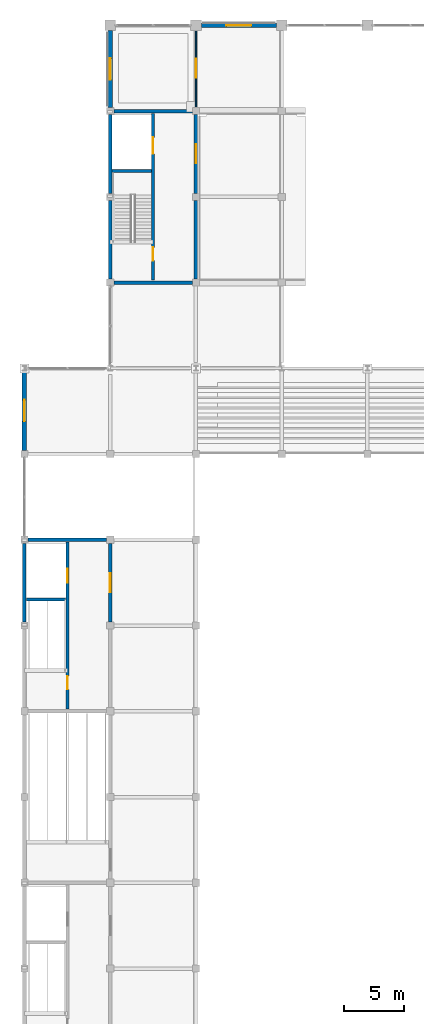
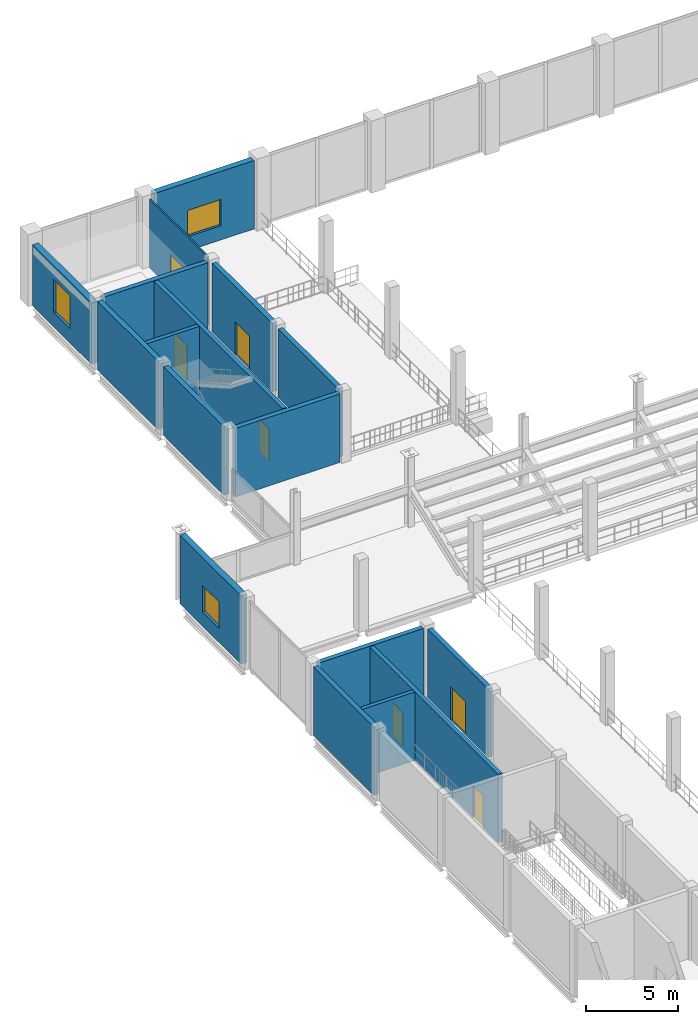
# One storey, part 94 of 120: 17 walls, 7 doors, 3 windows, 10 openings.
"""IFC4 building model written with IfcOpenShell, lengths in metres."""

from ifc_helpers import new_model, si_unit, direction, frame, frame_2d, origin, place, context, subcontext, project, spatial, rectangle, extrude, material, layer, layer_set, type_object, element, fill, save


model = new_model("IFC4")

# Units and contexts
model_context = context("Model", 3, precision=1e-05, world=origin(), true_north=direction((0.0, 1.0)))
body_context = subcontext(model_context, "Body", "Model", "MODEL_VIEW")
ifc_project = project(units=[si_unit("LENGTHUNIT", "METRE"), si_unit("AREAUNIT", "SQUARE_METRE"), si_unit("VOLUMEUNIT", "CUBIC_METRE"), si_unit("PLANEANGLEUNIT", "RADIAN"), si_unit("MASSUNIT", "GRAM", prefix="KILO")], contexts=[model_context])

# Site, building, storey
site_placement = place(None, origin())
site = spatial("IfcSite", under=ifc_project, at=site_placement, CompositionType="ELEMENT")
building_placement = place(site_placement, origin())
building = spatial("IfcBuilding", under=site, at=building_placement, Name="Vesperath Aquatics Centre", CompositionType="ELEMENT")
storey_placement = place(building_placement, frame((0.0, 0.0, 10.199951171875)))
storey = spatial("IfcBuildingStorey", under=building, at=storey_placement, Name="L02", CompositionType="ELEMENT", Elevation=10.199951171875)

# Wall, opening, window
ifc_material_1 = material(Name="Red-terracotta brick insulated cavity wall", Category="masonry")
ifc_layer_1 = layer(ifc_material_1, 0.3798828125)
ifc_layer_set_1 = layer_set([ifc_layer_1], Name="Red-terracotta brick insulated cavity wall")
wall_type_1 = type_object("IfcWallType", Name="WL-EW02", PredefinedType="SOLIDWALL", material=ifc_layer_set_1)
wall_1_placement = place(storey_placement, frame((0.0, 79.5, 0.0), z_axis=(0.0, 0.0, 1.0), x_axis=(0.0, 1.0, 0.0)))
wall_1 = element("IfcWall", 1, at=wall_1_placement, inside=storey, type_object=wall_type_1, Name="Exterior Wall EW02 L02_W_00_11", PredefinedType="SOLIDWALL", context=body_context, shape_type="SweptSolid", body=[
    extrude(rectangle(XDim=6.68603515625, YDim=0.3798828125, at=frame_2d((3.343017578125, 0.0))), origin(), (0.0, 0.0, 1.0), 4.56005859375),
])
opening_1_placement = place(wall_1_placement, frame((2.443115234375, 0.0, 0.949951171875)))
opening_1 = element("IfcOpeningElement", 2, at=opening_1_placement, cuts=wall_1, Name="Opening W12", PredefinedType="OPENING", context=body_context, shape_type="SweptSolid", body=[
    extrude(rectangle(XDim=1.800048828125, YDim=1.75, at=frame_2d((0.89990234375, 0.875))), frame((0.0, 0.204833984375, 0.0), z_axis=(0.0, -1.0, 0.0), x_axis=(1.0, 0.0, 0.0)), (0.0, 0.0, 1.0), 0.40966796875),
])
ifc_material_2 = material(Name="Thermally broken aluminium triple-glazed window", Category="aluminium")
window_type_1 = type_object("IfcWindowType", Name="WN-W12", PartitioningType="SINGLE_PANEL", PredefinedType="WINDOW", material=ifc_material_2)
window_1_placement = place(opening_1_placement, origin())
window_1 = element("IfcWindow", 3, at=window_1_placement, inside=storey, type_object=window_type_1, Name="Deep-Reveal Casement Window W12 L02_W_00_11", OverallHeight=1.75, OverallWidth=1.800048828125, PartitioningType="SINGLE_PANEL", PredefinedType="WINDOW", context=body_context, shape_type="SweptSolid", body=[
    extrude(rectangle(XDim=1.800048828125, YDim=1.75, at=frame_2d((0.89990234375, 0.875))), frame((0.0, 0.030029296875, 0.0), z_axis=(0.0, -1.0, 0.0), x_axis=(1.0, 0.0, 0.0)), (0.0, 0.0, 1.0), 0.06005859375),
])
fill(opening_1, window_1)

wall_2_placement = place(storey_placement, frame((7.199951171875, 108.300048828125, 0.0), z_axis=(0.0, 0.0, 1.0), x_axis=(0.0, 1.0, 0.0)))
wall_2 = element("IfcWall", 4, at=wall_2_placement, inside=storey, type_object=wall_type_1, Name="Exterior Wall EW02 L02_W_01_15", PredefinedType="SOLIDWALL", context=body_context, shape_type="SweptSolid", body=[
    extrude(rectangle(XDim=6.449951171875, YDim=0.3798828125, at=frame_2d((3.22509765625, 0.0))), origin(), (0.0, 0.0, 1.0), 4.072021484375),
])
opening_2_placement = place(wall_2_placement, frame((2.324951171875, 0.0, 0.949951171875)))
opening_2 = element("IfcOpeningElement", 5, at=opening_2_placement, cuts=wall_2, Name="Opening W03", PredefinedType="OPENING", context=body_context, shape_type="SweptSolid", body=[
    extrude(rectangle(XDim=1.800048828125, YDim=2.199951171875, at=frame_2d((0.89990234375, 1.10009765625))), frame((0.0, 0.204833984375, 0.0), z_axis=(0.0, -1.0, 0.0), x_axis=(1.0, 0.0, 0.0)), (0.0, 0.0, 1.0), 0.40966796875),
])
window_type_2 = type_object("IfcWindowType", Name="WN-W03", PartitioningType="SINGLE_PANEL", PredefinedType="WINDOW", material=ifc_material_2)
window_2_placement = place(opening_2_placement, origin())
window_2 = element("IfcWindow", 6, at=window_2_placement, inside=storey, type_object=window_type_2, Name="Deep-Reveal Casement Window W03 L02_W_01_15", OverallHeight=2.199951171875, OverallWidth=1.800048828125, PartitioningType="SINGLE_PANEL", PredefinedType="WINDOW", context=body_context, shape_type="SweptSolid", body=[
    extrude(rectangle(XDim=1.800048828125, YDim=2.199951171875, at=frame_2d((0.89990234375, 1.10009765625))), frame((0.0, 0.030029296875, 0.0), z_axis=(0.0, -1.0, 0.0), x_axis=(1.0, 0.0, 0.0)), (0.0, 0.0, 1.0), 0.06005859375),
])
fill(opening_2, window_2)

ifc_material_3 = material(Name="Glazed majolica and brick insulated cavity wall", Category="masonry")
ifc_layer_2 = layer(ifc_material_3, 0.360107421875)
ifc_layer_set_2 = layer_set([ifc_layer_2], Name="Glazed majolica and brick insulated cavity wall")
wall_type_2 = type_object("IfcWallType", Name="WL-EW03", PredefinedType="SOLIDWALL", material=ifc_layer_set_2)
wall_3_placement = place(storey_placement, frame((14.85009765625, 115.199951171875, 0.0), z_axis=(0.0, 0.0, 1.0), x_axis=(1.0, 0.0, 0.0)))
wall_3 = element("IfcWall", 7, at=wall_3_placement, inside=storey, type_object=wall_type_2, Name="Exterior Wall EW03 L02_N_02_16", PredefinedType="SOLIDWALL", context=body_context, shape_type="SweptSolid", body=[
    extrude(rectangle(XDim=6.2998046875, YDim=0.360107421875, at=frame_2d((3.14990234375, 0.0))), origin(), (0.0, 0.0, 1.0), 4.56005859375),
])
opening_3_placement = place(wall_3_placement, frame((2.10009765625, 0.0, 0.949951171875)))
opening_3 = element("IfcOpeningElement", 8, at=opening_3_placement, cuts=wall_3, Name="Opening W11", PredefinedType="OPENING", context=body_context, shape_type="SweptSolid", body=[
    extrude(rectangle(XDim=2.10009765625, YDim=1.75, at=frame_2d((1.050048828125, 0.875))), frame((0.0, 0.19482421875, 0.0), z_axis=(0.0, -1.0, 0.0), x_axis=(1.0, 0.0, 0.0)), (0.0, 0.0, 1.0), 0.389892578125),
])
window_type_3 = type_object("IfcWindowType", Name="WN-W11", PartitioningType="SINGLE_PANEL", PredefinedType="WINDOW", material=ifc_material_2)
window_3_placement = place(opening_3_placement, origin())
window_3 = element("IfcWindow", 9, at=window_3_placement, inside=storey, type_object=window_type_3, Name="Deep-Reveal Casement Window W11 L02_N_02_16", OverallHeight=1.75, OverallWidth=2.10009765625, PartitioningType="SINGLE_PANEL", PredefinedType="WINDOW", context=body_context, shape_type="SweptSolid", body=[
    extrude(rectangle(XDim=2.10009765625, YDim=1.75, at=frame_2d((1.050048828125, 0.875))), frame((0.0, 0.030029296875, 0.0), z_axis=(0.0, -1.0, 0.0), x_axis=(1.0, 0.0, 0.0)), (0.0, 0.0, 1.0), 0.06005859375),
])
fill(opening_3, window_3)

# Wall, opening, door
ifc_material_4 = material(Name="Poolside glazed screen partition", Category="gypsum")
ifc_layer_3 = layer(ifc_material_4, 0.094970703125)
ifc_layer_set_3 = layer_set([ifc_layer_3], Name="Poolside glazed screen partition")
wall_type_3 = type_object("IfcWallType", Name="WL-IW13", PredefinedType="PARTITIONING", material=ifc_layer_set_3)
wall_4_placement = place(storey_placement, frame((14.39990234375, 108.35009765625, 0.0), z_axis=(0.0, 0.0, 1.0), x_axis=(0.0, 1.0, 0.0)))
wall_4 = element("IfcWall", 10, at=wall_4_placement, inside=storey, type_object=wall_type_3, Name="Interior Partition IW13 L02_DIVE_VID-E1", PredefinedType="PARTITIONING", context=body_context, shape_type="SweptSolid", body=[
    extrude(rectangle(XDim=6.349853515625, YDim=0.094970703125, at=frame_2d((3.1748046875, 0.0))), origin(), (0.0, 0.0, 1.0), 4.56005859375),
])
opening_4_placement = place(wall_4_placement, frame((2.4599609375, 0.0, 0.0)))
opening_4 = element("IfcOpeningElement", 11, at=opening_4_placement, cuts=wall_4, Name="Opening D25", PredefinedType="OPENING", context=body_context, shape_type="SweptSolid", body=[
    extrude(rectangle(XDim=1.580078125, YDim=2.25, at=frame_2d((0.7900390625, 1.125))), frame((0.0, 0.0625, 0.0), z_axis=(0.0, -1.0, 0.0), x_axis=(1.0, 0.0, 0.0)), (0.0, 0.0, 1.0), 0.124755859375),
])
ifc_material_5 = material(Name="Fitness studio acoustic double door", Category="steel")
door_type_1 = type_object("IfcDoorType", Name="DR-RM17", OperationType="DOUBLE_SWING_LEFT", PredefinedType="DOOR", material=ifc_material_5)
door_1_placement = place(opening_4_placement, origin())
door_1 = element("IfcDoor", 12, at=door_1_placement, inside=storey, type_object=door_type_1, Name="Diving Biomechanics Video Studio Door D25", OperationType="DOUBLE_SWING_LEFT", OverallHeight=2.25, OverallWidth=1.580078125, PredefinedType="DOOR", context=body_context, shape_type="SweptSolid", body=[
    extrude(rectangle(XDim=1.580078125, YDim=2.25, at=frame_2d((0.7900390625, 1.125))), frame((0.0, 0.02490234375, 0.0), z_axis=(0.0, -1.0, 0.0), x_axis=(1.0, 0.0, 0.0)), (0.0, 0.0, 1.0), 0.050048828125),
])
fill(opening_4, door_1)

# Walls
ifc_material_6 = material(Name="Concrete C40", Category="concrete")
ifc_layer_4 = layer(ifc_material_6, 0.300048828125)
ifc_layer_set_4 = layer_set([ifc_layer_4], Name="Concrete C40")
wall_type_4 = type_object("IfcWallType", Name="WL-SW01", PredefinedType="SHEAR", material=ifc_layer_set_4)
for number, where, z_axis, x_axis, name in (
    (13, (7.5, 93.60009765625, 0.0), (0.0, 0.0, 1.0), (1.0, 0.0, 0.0), "Core C3 South Shear Wall SW01 L02"),
    (14, (7.5, 108.0, 0.0), (0.0, 0.0, 1.0), (1.0, 0.0, 0.0), "Core C3 North Shear Wall SW01 L02"),
    (15, (14.39990234375, 93.89990234375, 0.0), (0.0, 0.0, 1.0), (0.0, 1.0, 0.0), "Core C3 East-1 Shear Wall SW01 L02"),
):
    element("IfcWall", number, at=place(storey_placement, frame(where, z_axis=z_axis, x_axis=x_axis)), inside=storey, type_object=wall_type_4, Name=name, PredefinedType="SHEAR", context=body_context, shape_type="SweptSolid", body=[
        extrude(rectangle(XDim=6.60009765625, YDim=0.300048828125, at=frame_2d((3.300048828125, 0.0))), origin(), (0.0, 0.0, 1.0), 4.56005859375),
    ])

# Wall, opening, door
wall_5_placement = place(storey_placement, frame((14.39990234375, 101.10009765625, 0.0), z_axis=(0.0, 0.0, 1.0), x_axis=(0.0, 1.0, 0.0)))
wall_5 = element("IfcWall", 16, at=wall_5_placement, inside=storey, type_object=wall_type_4, Name="Core C3 East-2 Shear Wall SW01 L02", PredefinedType="SHEAR", context=body_context, shape_type="SweptSolid", body=[
    extrude(rectangle(XDim=6.599853515625, YDim=0.300048828125, at=frame_2d((3.2998046875, 0.0))), origin(), (0.0, 0.0, 1.0), 4.56005859375),
])
opening_5_placement = place(wall_5_placement, frame((2.5, 0.0, 0.0)))
opening_5 = element("IfcOpeningElement", 17, at=opening_5_placement, cuts=wall_5, Name="Opening D02", PredefinedType="OPENING", context=body_context, shape_type="SweptSolid", body=[
    extrude(rectangle(XDim=1.60009765625, YDim=2.199951171875, at=frame_2d((0.800048828125, 1.10009765625))), frame((0.0, 0.1650390625, 0.0), z_axis=(0.0, -1.0, 0.0), x_axis=(1.0, 0.0, 0.0)), (0.0, 0.0, 1.0), 0.329833984375),
])
ifc_material_7 = material(Name="Glazed fire-rated lobby double door", Category="steel")
door_type_2 = type_object("IfcDoorType", Name="DR-FD02", OperationType="DOUBLE_SWING_LEFT", PredefinedType="DOOR", material=ifc_material_7)
door_2_placement = place(opening_5_placement, frame((1.60009765625, 0.0, 0.0), z_axis=(0.0, 0.0, 1.0), x_axis=(-1.0, 0.0, 0.0)))
door_2 = element("IfcDoor", 18, at=door_2_placement, inside=storey, type_object=door_type_2, Name="Core C3 Lobby Fire Door D02 L02", OperationType="DOUBLE_SWING_LEFT", OverallHeight=2.199951171875, OverallWidth=1.60009765625, PredefinedType="DOOR", context=body_context, shape_type="SweptSolid", body=[
    extrude(rectangle(XDim=1.60009765625, YDim=2.199951171875, at=frame_2d((0.800048828125, 1.10009765625))), frame((0.0, 0.02490234375, 0.0), z_axis=(0.0, -1.0, 0.0), x_axis=(1.0, 0.0, 0.0)), (0.0, 0.0, 1.0), 0.050048828125),
])
fill(opening_5, door_2)

ifc_layer_5 = layer(ifc_material_6, 0.280029296875)
ifc_layer_set_5 = layer_set([ifc_layer_5], Name="Concrete C40")
wall_type_5 = type_object("IfcWallType", Name="WL-SW02", PredefinedType="SHEAR", material=ifc_layer_set_5)
wall_6_placement = place(storey_placement, frame((7.199951171875, 65.10009765625, 0.0), z_axis=(0.0, 0.0, 1.0), x_axis=(0.0, 1.0, 0.0)))
wall_6 = element("IfcWall", 19, at=wall_6_placement, inside=storey, type_object=wall_type_5, Name="Core C2 East-2 Shear Wall SW02 L02", PredefinedType="SHEAR", context=body_context, shape_type="SweptSolid", body=[
    extrude(rectangle(XDim=6.599853515625, YDim=0.280029296875, at=frame_2d((3.2998046875, 0.0))), origin(), (0.0, 0.0, 1.0), 4.56005859375),
])
opening_6_placement = place(wall_6_placement, frame((2.5, 0.0, 0.0)))
opening_6 = element("IfcOpeningElement", 20, at=opening_6_placement, cuts=wall_6, Name="Opening D02", PredefinedType="OPENING", context=body_context, shape_type="SweptSolid", body=[
    extrude(rectangle(XDim=1.60009765625, YDim=2.199951171875, at=frame_2d((0.800048828125, 1.10009765625))), frame((0.0, 0.15478515625, 0.0), z_axis=(0.0, -1.0, 0.0), x_axis=(1.0, 0.0, 0.0)), (0.0, 0.0, 1.0), 0.309814453125),
])
door_3_placement = place(opening_6_placement, frame((1.60009765625, 0.0, 0.0), z_axis=(0.0, 0.0, 1.0), x_axis=(-1.0, 0.0, 0.0)))
door_3 = element("IfcDoor", 21, at=door_3_placement, inside=storey, type_object=door_type_2, Name="Core C2 Lobby Fire Door D02 L02", OperationType="DOUBLE_SWING_LEFT", OverallHeight=2.199951171875, OverallWidth=1.60009765625, PredefinedType="DOOR", context=body_context, shape_type="SweptSolid", body=[
    extrude(rectangle(XDim=1.60009765625, YDim=2.199951171875, at=frame_2d((0.800048828125, 1.10009765625))), frame((0.0, 0.02490234375, 0.0), z_axis=(0.0, -1.0, 0.0), x_axis=(1.0, 0.0, 0.0)), (0.0, 0.0, 1.0), 0.050048828125),
])
fill(opening_6, door_3)

# Wall, openings, doors
ifc_layer_6 = layer(ifc_material_6, 0.260009765625)
ifc_layer_set_6 = layer_set([ifc_layer_6], Name="Concrete C40")
wall_type_6 = type_object("IfcWallType", Name="WL-SW03", PredefinedType="SHEAR", material=ifc_layer_set_6)
wall_7_placement = place(storey_placement, frame((3.60009765625, 57.800048828125, 0.0), z_axis=(0.0, 0.0, 1.0), x_axis=(0.0, 1.0, 0.0)))
wall_7 = element("IfcWall", 22, at=wall_7_placement, inside=storey, type_object=wall_type_6, Name="Core C2 Spine Shear Wall SW03 L02", PredefinedType="SHEAR", context=body_context, shape_type="SweptSolid", body=[
    extrude(rectangle(XDim=14.0, YDim=0.260009765625, at=frame_2d((7.0, 0.0))), origin(), (0.0, 0.0, 1.0), 4.56005859375),
])
opening_7_placement = place(wall_7_placement, frame((1.64990234375, 0.0, 0.0)))
opening_7 = element("IfcOpeningElement", 23, at=opening_7_placement, cuts=wall_7, Name="Opening D01", PredefinedType="OPENING", context=body_context, shape_type="SweptSolid", body=[
    extrude(rectangle(XDim=1.10009765625, YDim=2.14990234375, at=frame_2d((0.550048828125, 1.074951171875))), frame((0.0, 0.14501953125, 0.0), z_axis=(0.0, -1.0, 0.0), x_axis=(1.0, 0.0, 0.0)), (0.0, 0.0, 1.0), 0.289794921875),
])
opening_8_placement = place(wall_7_placement, frame((10.60009765625, 0.0, 0.0)))
opening_8 = element("IfcOpeningElement", 24, at=opening_8_placement, cuts=wall_7, Name="Opening LD02", PredefinedType="OPENING", context=body_context, shape_type="SweptSolid", body=[
    extrude(rectangle(XDim=1.14990234375, YDim=2.199951171875, at=frame_2d((0.574951171875, 1.10009765625))), frame((0.0, 0.14501953125, 0.0), z_axis=(0.0, -1.0, 0.0), x_axis=(1.0, 0.0, 0.0)), (0.0, 0.0, 1.0), 0.289794921875),
])
ifc_material_8 = material(Name="Steel-faced acoustic fire door", Category="steel")
door_type_3 = type_object("IfcDoorType", Name="DR-FD01", OperationType="NOTDEFINED", PredefinedType="DOOR", material=ifc_material_8)
door_4_placement = place(opening_7_placement, origin())
door_4 = element("IfcDoor", 25, at=door_4_placement, inside=storey, type_object=door_type_3, Name="Stair ST2 Fire Door D01 L02", OperationType="SINGLE_SWING_RIGHT", OverallHeight=2.14990234375, OverallWidth=1.10009765625, PredefinedType="DOOR", context=body_context, shape_type="SweptSolid", body=[
    extrude(rectangle(XDim=1.10009765625, YDim=2.14990234375, at=frame_2d((0.550048828125, 1.074951171875))), frame((0.0, 0.02490234375, 0.0), z_axis=(0.0, -1.0, 0.0), x_axis=(1.0, 0.0, 0.0)), (0.0, 0.0, 1.0), 0.050048828125),
])
fill(opening_7, door_4)
ifc_material_9 = material(Name="Brushed stainless steel lift landing door", Category="steel")
door_type_4 = type_object("IfcDoorType", Name="DR-LD02", OperationType="SLIDING_TO_RIGHT", PredefinedType="DOOR", material=ifc_material_9)
door_5_placement = place(opening_8_placement, frame((1.14990234375, 0.0, 0.0), z_axis=(0.0, 0.0, 1.0), x_axis=(-1.0, 0.0, 0.0)))
door_5 = element("IfcDoor", 26, at=door_5_placement, inside=storey, type_object=door_type_4, Name="Lift LFT-P2 Sliding Landing Door LD02 L02", OperationType="SLIDING_TO_RIGHT", OverallHeight=2.199951171875, OverallWidth=1.14990234375, PredefinedType="DOOR", context=body_context, shape_type="SweptSolid", body=[
    extrude(rectangle(XDim=1.14990234375, YDim=2.199951171875, at=frame_2d((0.574951171875, 1.10009765625))), frame((0.0, 0.02490234375, 0.0), z_axis=(0.0, -1.0, 0.0), x_axis=(1.0, 0.0, 0.0)), (0.0, 0.0, 1.0), 0.050048828125),
])
fill(opening_8, door_5)

wall_8_placement = place(storey_placement, frame((10.800048828125, 93.800048828125, 0.0), z_axis=(0.0, 0.0, 1.0), x_axis=(0.0, 1.0, 0.0)))
wall_8 = element("IfcWall", 27, at=wall_8_placement, inside=storey, type_object=wall_type_6, Name="Core C3 Spine Shear Wall SW03 L02", PredefinedType="SHEAR", context=body_context, shape_type="SweptSolid", body=[
    extrude(rectangle(XDim=14.0, YDim=0.260009765625, at=frame_2d((7.0, 0.0))), origin(), (0.0, 0.0, 1.0), 4.56005859375),
])
opening_9_placement = place(wall_8_placement, frame((1.64990234375, 0.0, 0.0)))
opening_9 = element("IfcOpeningElement", 28, at=opening_9_placement, cuts=wall_8, Name="Opening D01", PredefinedType="OPENING", context=body_context, shape_type="SweptSolid", body=[
    extrude(rectangle(XDim=1.10009765625, YDim=2.14990234375, at=frame_2d((0.550048828125, 1.074951171875))), frame((0.0, 0.14501953125, 0.0), z_axis=(0.0, -1.0, 0.0), x_axis=(1.0, 0.0, 0.0)), (0.0, 0.0, 1.0), 0.289794921875),
])
opening_10_placement = place(wall_8_placement, frame((10.60009765625, 0.0, 0.0)))
opening_10 = element("IfcOpeningElement", 29, at=opening_10_placement, cuts=wall_8, Name="Opening LD04", PredefinedType="OPENING", context=body_context, shape_type="SweptSolid", body=[
    extrude(rectangle(XDim=1.39990234375, YDim=2.300048828125, at=frame_2d((0.699951171875, 1.14990234375))), frame((0.0, 0.14501953125, 0.0), z_axis=(0.0, -1.0, 0.0), x_axis=(1.0, 0.0, 0.0)), (0.0, 0.0, 1.0), 0.289794921875),
])
door_6_placement = place(opening_9_placement, origin())
door_6 = element("IfcDoor", 30, at=door_6_placement, inside=storey, type_object=door_type_3, Name="Stair ST3 Fire Door D01 L02", OperationType="SINGLE_SWING_LEFT", OverallHeight=2.14990234375, OverallWidth=1.10009765625, PredefinedType="DOOR", context=body_context, shape_type="SweptSolid", body=[
    extrude(rectangle(XDim=1.10009765625, YDim=2.14990234375, at=frame_2d((0.550048828125, 1.074951171875))), frame((0.0, 0.02490234375, 0.0), z_axis=(0.0, -1.0, 0.0), x_axis=(1.0, 0.0, 0.0)), (0.0, 0.0, 1.0), 0.050048828125),
])
fill(opening_9, door_6)
ifc_material_10 = material(Name="Goods stainless lift landing door", Category="steel")
door_type_5 = type_object("IfcDoorType", Name="DR-LD04", OperationType="SLIDING_TO_RIGHT", PredefinedType="DOOR", material=ifc_material_10)
door_7_placement = place(opening_10_placement, frame((1.39990234375, 0.0, 0.0), z_axis=(0.0, 0.0, 1.0), x_axis=(-1.0, 0.0, 0.0)))
door_7 = element("IfcDoor", 31, at=door_7_placement, inside=storey, type_object=door_type_5, Name="Lift LFT-G1 Sliding Landing Door LD04 L02", OperationType="SLIDING_TO_RIGHT", OverallHeight=2.300048828125, OverallWidth=1.39990234375, PredefinedType="DOOR", context=body_context, shape_type="SweptSolid", body=[
    extrude(rectangle(XDim=1.39990234375, YDim=2.300048828125, at=frame_2d((0.699951171875, 1.14990234375))), frame((0.0, 0.02490234375, 0.0), z_axis=(0.0, -1.0, 0.0), x_axis=(1.0, 0.0, 0.0)), (0.0, 0.0, 1.0), 0.050048828125),
])
fill(opening_10, door_7)

# Walls
ifc_layer_7 = layer(ifc_material_6, 0.25)
ifc_layer_set_7 = layer_set([ifc_layer_7], Name="Concrete C40")
wall_type_7 = type_object("IfcWallType", Name="WL-SW04", PredefinedType="SHEAR", material=ifc_layer_set_7)
wall_9_placement = place(storey_placement, frame((0.159912109375, 66.97998046875, 0.0), z_axis=(0.0, 0.0, 1.0), x_axis=(1.0, 0.0, 0.0)))
element("IfcWall", 32, at=wall_9_placement, inside=storey, type_object=wall_type_7, Name="Core C2 Lift Shaft Wall SW04 L02", PredefinedType="SHEAR", context=body_context, shape_type="SweptSolid", body=[
    extrude(rectangle(XDim=3.300048828125, YDim=0.25, at=frame_2d((1.64990234375, 0.0))), origin(), (0.0, 0.0, 1.0), 4.56005859375),
])
wall_10_placement = place(storey_placement, frame((7.360107421875, 102.97998046875, 0.0), z_axis=(0.0, 0.0, 1.0), x_axis=(1.0, 0.0, 0.0)))
element("IfcWall", 33, at=wall_10_placement, inside=storey, type_object=wall_type_7, Name="Core C3 Lift Shaft Wall SW04 L02", PredefinedType="SHEAR", context=body_context, shape_type="SweptSolid", body=[
    extrude(rectangle(XDim=3.2998046875, YDim=0.25, at=frame_2d((1.64990234375, 0.0))), origin(), (0.0, 0.0, 1.0), 4.56005859375),
])
ifc_layer_8 = layer(ifc_material_6, 0.31005859375)
ifc_layer_set_8 = layer_set([ifc_layer_8], Name="Concrete C40")
wall_type_8 = type_object("IfcWallType", Name="WL-SW05", PredefinedType="SHEAR", material=ifc_layer_set_8)
wall_11_placement = place(storey_placement, frame((7.199951171875, 93.89990234375, 0.0), z_axis=(0.0, 0.0, 1.0), x_axis=(0.0, 1.0, 0.0)))
element("IfcWall", 34, at=wall_11_placement, inside=storey, type_object=wall_type_8, Name="Core C3 West-1 Shear Wall SW05 L02", PredefinedType="SHEAR", context=body_context, shape_type="SweptSolid", body=[
    extrude(rectangle(XDim=6.60009765625, YDim=0.31005859375, at=frame_2d((3.300048828125, 0.0))), origin(), (0.0, 0.0, 1.0), 4.56005859375),
])
wall_12_placement = place(storey_placement, frame((7.199951171875, 101.10009765625, 0.0), z_axis=(0.0, 0.0, 1.0), x_axis=(0.0, 1.0, 0.0)))
element("IfcWall", 35, at=wall_12_placement, inside=storey, type_object=wall_type_8, Name="Core C3 West-2 Shear Wall SW05 L02", PredefinedType="SHEAR", context=body_context, shape_type="SweptSolid", body=[
    extrude(rectangle(XDim=6.599853515625, YDim=0.31005859375, at=frame_2d((3.2998046875, 0.0))), origin(), (0.0, 0.0, 1.0), 4.56005859375),
])
ifc_layer_9 = layer(ifc_material_6, 0.2900390625)
ifc_layer_set_9 = layer_set([ifc_layer_9], Name="Concrete C40")
wall_type_9 = type_object("IfcWallType", Name="WL-SW06", PredefinedType="SHEAR", material=ifc_layer_set_9)
for number, where, z_axis, x_axis, name in (
    (36, (0.300048828125, 72.0, 0.0), (0.0, 0.0, 1.0), (1.0, 0.0, 0.0), "Core C2 North Shear Wall SW06 L02"),
    (37, (0.0, 65.10009765625, 0.0), (0.0, 0.0, 1.0), (0.0, 1.0, 0.0), "Core C2 West-2 Shear Wall SW06 L02"),
):
    element("IfcWall", number, at=place(storey_placement, frame(where, z_axis=z_axis, x_axis=x_axis)), inside=storey, type_object=wall_type_9, Name=name, PredefinedType="SHEAR", context=body_context, shape_type="SweptSolid", body=[
        extrude(rectangle(XDim=6.599853515625, YDim=0.2900390625, at=frame_2d((3.2998046875, 0.0))), origin(), (0.0, 0.0, 1.0), 4.56005859375),
    ])

save(model, "model.ifc")
